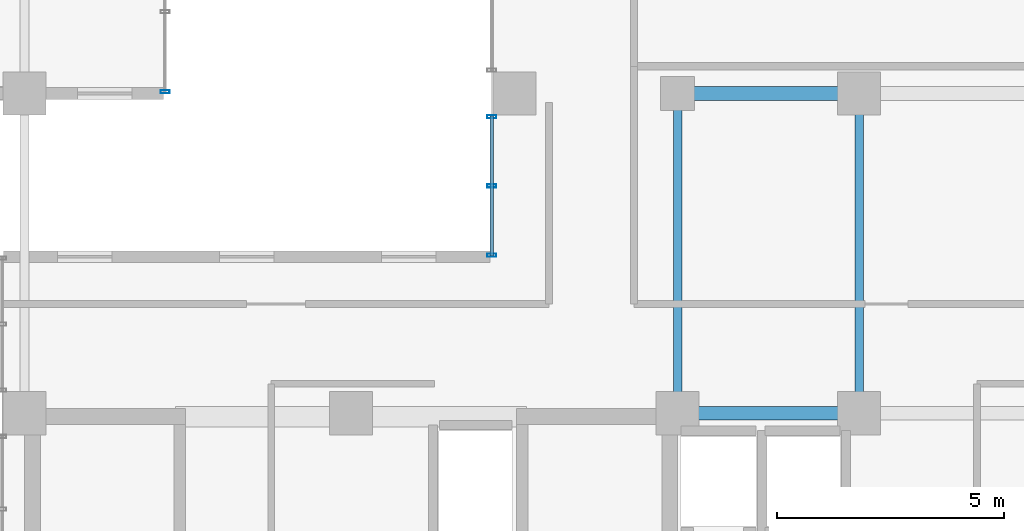
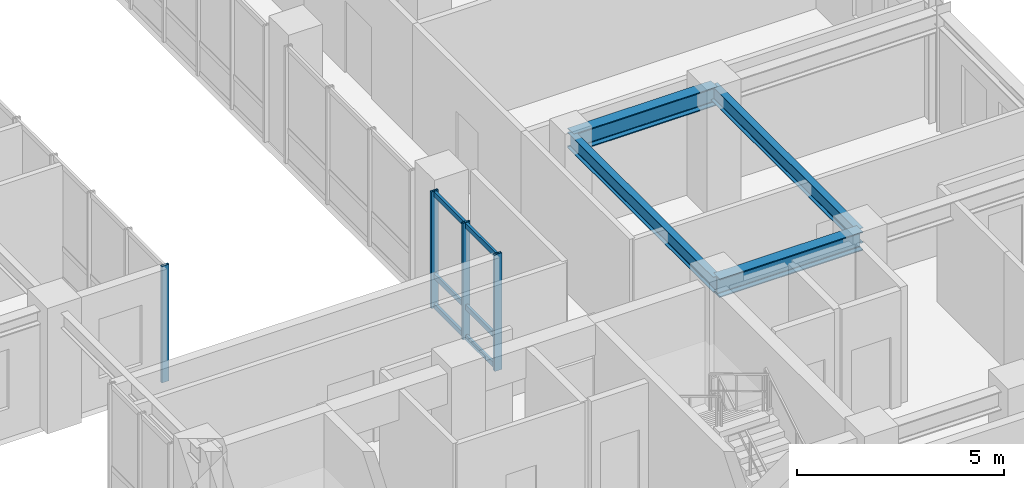
# One storey, part 7 of 24: 7 members, 4 beams, 2 elements without a shape of their own.
"""IFC4 building model written with IfcOpenShell, lengths in metres."""

import ifcopenshell
import ifcopenshell.guid

model = None  # the IFC model being written
_history = None  # IfcOwnerHistory: only IFC2X3 demands one
_inside = {}  # id of a spatial element -> (the spatial element, [elements in it])
_under = {}  # id of a project, library or spatial element -> (it, [spatial elements below it])
_declared = {}  # id of a project -> (the project, [libraries it declares])
_typed = {}  # id of a type object -> (the type object, [elements of that type])
_made_of = {}  # id of a material, layer set ... -> (it, [elements and type objects made of it])


def new_model(schema):
    """Start an empty IFC model of exactly this schema.

    Asked for "IFC4X3", IfcOpenShell would pick the latest addendum, in which some entities
    have other attributes; the version numbers below select the first issue.
    IFC2X3 requires an IfcOwnerHistory on every rooted entity: one is made here for all.
    """
    global model, _history
    if schema == "IFC4X3":
        model = ifcopenshell.file(schema_version=(4, 3, 0, 0))
    else:
        model = ifcopenshell.file(schema=schema)
    _inside.clear()
    _under.clear()
    _declared.clear()
    _typed.clear()
    _made_of.clear()
    _history = None
    if model.schema == "IFC2X3":
        org = make("IfcOrganization", Name="unknown")
        user = make(
            "IfcPersonAndOrganization",
            ThePerson=make("IfcPerson", FamilyName="unknown"),
            TheOrganization=org,
        )
        app = make(
            "IfcApplication",
            ApplicationDeveloper=org,
            Version="unknown",
            ApplicationFullName="unknown",
            ApplicationIdentifier="unknown",
        )
        _history = make(
            "IfcOwnerHistory",
            OwningUser=user,
            OwningApplication=app,
            ChangeAction="ADDED",
            CreationDate=0,
        )
    return model


def make(cls, **values):
    """One entity of the class cls with the attributes given. An attribute that is None is left unset."""
    return model.create_entity(
        cls, **{name: value for name, value in values.items() if value is not None}
    )


def rooted(cls, **values):
    """An entity with a GlobalId (a new one), such as an element, a storey or a relation."""
    return make(cls, GlobalId=ifcopenshell.guid.new(), OwnerHistory=_history, **values)


def si_unit(unit_type, name, prefix=None):
    """IfcSIUnit, for example si_unit("LENGTHUNIT", "METRE", prefix="MILLI")."""
    return make("IfcSIUnit", UnitType=unit_type, Prefix=prefix, Name=name)


def assignment(units):
    """IfcUnitAssignment: the units of a project."""
    return None if units is None else make("IfcUnitAssignment", Units=units)


def point(xyz):
    """IfcCartesianPoint."""
    return None if xyz is None else make("IfcCartesianPoint", Coordinates=xyz)


def direction(xyz):
    """IfcDirection."""
    return None if xyz is None else make("IfcDirection", DirectionRatios=xyz)


def frame(location, z_axis=None, x_axis=None):
    """IfcAxis2Placement3D, a coordinate frame: its origin and axes. An axis left out is left unset."""
    return make(
        "IfcAxis2Placement3D",
        Location=point(location),
        Axis=direction(z_axis),
        RefDirection=direction(x_axis),
    )


def frame_2d(location, x_axis=None):
    """IfcAxis2Placement2D, a coordinate frame in the plane: its origin and x axis."""
    return make(
        "IfcAxis2Placement2D", Location=point(location), RefDirection=direction(x_axis)
    )


def origin():
    """The frame at (0, 0, 0) with its axes left unset."""
    return frame((0.0, 0.0, 0.0))


def origin_2d():
    """The frame at (0, 0) in the plane with its x axis left unset."""
    return frame_2d((0.0, 0.0))


def place(relative_to, where):
    """IfcLocalPlacement: puts the frame where relative to a parent placement (None: the world)."""
    return make(
        "IfcLocalPlacement", PlacementRelTo=relative_to, RelativePlacement=where
    )


def context(
    kind, dimensions, precision=None, world=None, true_north=None, identifier=None
):
    """IfcGeometricRepresentationContext, for example the 3D "Model" context."""
    return make(
        "IfcGeometricRepresentationContext",
        ContextIdentifier=identifier,
        ContextType=kind,
        CoordinateSpaceDimension=dimensions,
        Precision=precision,
        WorldCoordinateSystem=world,
        TrueNorth=true_north,
    )


def subcontext(parent, identifier, kind, view, scale=None):
    """IfcGeometricRepresentationSubContext, for example "Body" below "Model"."""
    return make(
        "IfcGeometricRepresentationSubContext",
        ContextIdentifier=identifier,
        ContextType=kind,
        ParentContext=parent,
        TargetScale=scale,
        TargetView=view,
    )


def project(units=None, contexts=None):
    """IfcProject with its units and contexts."""
    return rooted(
        "IfcProject",
        Name="project",
        RepresentationContexts=contexts,
        UnitsInContext=assignment(units),
    )


def spatial(cls, under=None, at=None, **own):
    """A site, building, storey or space (cls), placed at a placement, below another one or the project."""
    s = rooted(cls, ObjectPlacement=at, **own)
    if under is not None:
        _under.setdefault(under.id(), (under, []))[1].append(s)
    return s


def profile(cls, at=None, kind="AREA", **sizes):
    """A parametric profile (cls). Its sizes go by their IFC names, for example OverallWidth=200.0."""
    return make(cls, ProfileType=kind, Position=at, **sizes)


def hollow_rectangle(**sizes):
    """IfcRectangleHollowProfileDef."""
    return profile("IfcRectangleHollowProfileDef", **sizes)


def i_section(**sizes):
    """IfcIShapeProfileDef."""
    return profile("IfcIShapeProfileDef", **sizes)


def extrude(swept, where, along, depth):
    """IfcExtrudedAreaSolid: the profile swept, set in the frame where, extruded along a direction by depth."""
    return make(
        "IfcExtrudedAreaSolid",
        SweptArea=swept,
        Position=where,
        ExtrudedDirection=direction(along),
        Depth=depth,
    )


def shape(context_of_items, identifier, shape_type, items):
    """IfcShapeRepresentation: the items that make up one representation, for example the "Body"."""
    return make(
        "IfcShapeRepresentation",
        ContextOfItems=context_of_items,
        RepresentationIdentifier=identifier,
        RepresentationType=shape_type,
        Items=items,
    )


def source(mapping_origin, context_of_items, identifier, shape_type, items):
    """IfcRepresentationMap: a shape defined once, which mapped items show again and again."""
    return make(
        "IfcRepresentationMap",
        MappingOrigin=mapping_origin,
        MappedRepresentation=shape(context_of_items, identifier, shape_type, items),
    )


def transform(
    local_origin,
    x_axis=None,
    y_axis=None,
    z_axis=None,
    scale=None,
    scale2=None,
    scale3=None,
    uniform=True,
):
    """IfcCartesianTransformationOperator3D, or its non-uniform kind. x_axis, y_axis, z_axis: its Axis1, 2, 3."""
    if uniform:
        return make(
            "IfcCartesianTransformationOperator3D",
            Axis1=direction(x_axis),
            Axis2=direction(y_axis),
            LocalOrigin=point(local_origin),
            Scale=scale,
            Axis3=direction(z_axis),
        )
    return make(
        "IfcCartesianTransformationOperator3DnonUniform",
        Axis1=direction(x_axis),
        Axis2=direction(y_axis),
        LocalOrigin=point(local_origin),
        Scale=scale,
        Axis3=direction(z_axis),
        Scale2=scale2,
        Scale3=scale3,
    )


def mapped(mapping_source, mapping_target):
    """IfcMappedItem: shows the shape of a source again, moved by a transform."""
    return make(
        "IfcMappedItem", MappingSource=mapping_source, MappingTarget=mapping_target
    )


def material(Name=None, Category=None):
    """IfcMaterial."""
    return make("IfcMaterial", Name=Name, Category=Category)


def layer(
    of_material, thickness, ventilated=None, Name=None, Category=None, Priority=None
):
    """IfcMaterialLayer: one layer of a wall or slab, of a material (None: an air gap)."""
    return make(
        "IfcMaterialLayer",
        Material=of_material,
        LayerThickness=thickness,
        IsVentilated=ventilated,
        Name=Name,
        Category=Category,
        Priority=Priority,
    )


def layer_set(layers, Name=None):
    """IfcMaterialLayerSet."""
    return make("IfcMaterialLayerSet", MaterialLayers=layers, LayerSetName=Name)


def material_profile(
    of_material, cross_section, Name=None, Category=None, Priority=None
):
    """IfcMaterialProfile: a cross section and its material."""
    return make(
        "IfcMaterialProfile",
        Name=Name,
        Material=of_material,
        Profile=cross_section,
        Priority=Priority,
        Category=Category,
    )


def profile_set(profiles, Name=None, composite=None):
    """IfcMaterialProfileSet."""
    return make(
        "IfcMaterialProfileSet",
        Name=Name,
        MaterialProfiles=profiles,
        CompositeProfile=composite,
    )


def made_of(thing, what):
    """Note that an element or type object is made of a material, layer set ...; save() writes the relation."""
    if what is not None:
        _made_of.setdefault(what.id(), (what, []))[1].append(thing)
    return thing


def type_object(cls, material=None, **own):
    """A type object (cls), such as IfcWallType, which elements share."""
    return made_of(rooted(cls, **own), material)


def element(
    cls,
    number,
    at=None,
    inside=None,
    cuts=None,
    type_object=None,
    material=None,
    context=None,
    identifier="Body",
    shape_type=None,
    held_by="IfcProductDefinitionShape",
    body=None,
    shapes=None,
    **own,
):
    """One element of the class cls, such as IfcWall. Its Tag is "e" and its number.

    at: its placement. inside: the storey or other place that contains it. cuts: it is an
    opening in that element (IfcRelVoidsElement). A single representation is given by context,
    identifier, shape_type and body (its items); several are given by shapes. held_by: the class
    of the entity that holds the representations. save() writes the other relations.
    """
    e = rooted(cls, Tag="e%d" % number, ObjectPlacement=at, **own)
    if body is not None:
        shapes = [shape(context, identifier, shape_type, body)]
    if shapes is not None:
        e.Representation = make(held_by, Representations=shapes)
    if inside is not None:
        _inside.setdefault(inside.id(), (inside, []))[1].append(e)
    if cuts is not None:
        rooted(
            "IfcRelVoidsElement", RelatingBuildingElement=cuts, RelatedOpeningElement=e
        )
    if type_object is not None:
        _typed.setdefault(type_object.id(), (type_object, []))[1].append(e)
    return made_of(e, material)


def aggregate(whole, parts):
    """IfcRelAggregates: a whole, such as a stair, and the parts it consists of."""
    return rooted("IfcRelAggregates", RelatingObject=whole, RelatedObjects=parts)


def save(model, path):
    """Write the relations noted so far, then the file.

    IfcRelAggregates (storeys below a building ...), IfcRelContainedInSpatialStructure (elements
    in a storey), IfcRelDefinesByType, IfcRelAssociatesMaterial and IfcRelDeclares: one each for
    every whole, place, type object, material and project.
    """
    for whole, parts in _under.values():
        aggregate(whole, parts)
    for where, things in _inside.values():
        rooted(
            "IfcRelContainedInSpatialStructure",
            RelatedElements=things,
            RelatingStructure=where,
        )
    for kind, things in _typed.values():
        rooted("IfcRelDefinesByType", RelatedObjects=things, RelatingType=kind)
    for what, things in _made_of.values():
        rooted("IfcRelAssociatesMaterial", RelatedObjects=things, RelatingMaterial=what)
    for by, libraries in _declared.values():
        rooted("IfcRelDeclares", RelatingContext=by, RelatedDefinitions=libraries)
    model.write(path)


model = new_model("IFC4")

# Units and contexts
model_context = context("Model", 3, precision=1e-05, world=origin(), true_north=direction((0.0, 1.0)))
body_context = subcontext(model_context, "Body", "Model", "MODEL_VIEW")
ifc_project = project(units=[si_unit("LENGTHUNIT", "METRE"), si_unit("AREAUNIT", "SQUARE_METRE"), si_unit("VOLUMEUNIT", "CUBIC_METRE"), si_unit("PLANEANGLEUNIT", "RADIAN"), si_unit("MASSUNIT", "GRAM", prefix="KILO")], contexts=[model_context])

# Site, building, storey
site_placement = place(None, origin())
site = spatial("IfcSite", under=ifc_project, at=site_placement, CompositionType="ELEMENT")
building_placement = place(site_placement, origin())
building = spatial("IfcBuilding", under=site, at=building_placement, Name="Kaliganga Portal Commons", CompositionType="ELEMENT")
storey_placement = place(building_placement, frame((0.0, 0.0, 235.10009765625)))
storey = spatial("IfcBuildingStorey", under=building, at=storey_placement, Name="L60", CompositionType="ELEMENT", Elevation=235.10009765625)

# Beams
ifc_material_1 = material(Name="Structural steel S355J2", Category="steel")
ifc_material_profile_1 = material_profile(ifc_material_1, i_section(OverallWidth=0.18994140625, OverallDepth=0.449951171875, WebThickness=0.009521484375, FlangeThickness=0.0146484375, FilletRadius=0.02099609375, at=origin_2d()), Name="IPE 450")
ifc_profile_set_1 = profile_set([ifc_material_profile_1], Name="Structural steel S355J2 wide-flange")
beam_type_1 = type_object("IfcBeamType", Name="BM-FLR-450", PredefinedType="BEAM", material=ifc_profile_set_1)
shared_shape_1 = source(origin(), body_context, "Body", "SweptSolid", [
    extrude(i_section(OverallWidth=0.18994140625, OverallDepth=0.449951171875, WebThickness=0.009521484375, FlangeThickness=0.0146484375, FilletRadius=0.02099609375, at=origin_2d()), origin(), (0.0, 0.0, 1.0), 7.050048828125),
])
for number, where, z_axis, x_axis, name in (
    (1, (50.39990234375, 14.550048828125, 3.21484375), (0.0, 1.0, 0.0), (-1.0, 0.0, 0.0), "BM G L60 BNK504"),
    (2, (54.39990234375, 14.550048828125, 3.21484375), (0.0, 1.0, 0.0), (-1.0, 0.0, 0.0), "BM G L60 BNK544"),
):
    element("IfcBeam", number, at=place(storey_placement, frame(where, z_axis=z_axis, x_axis=x_axis)), inside=storey, type_object=beam_type_1, Name=name, PredefinedType="BEAM", context=body_context, shape_type="MappedRepresentation", body=[
        mapped(shared_shape_1, transform((0.0, 0.0, 0.0), x_axis=(1.0, 0.0, 0.0), y_axis=(0.0, 1.0, 0.0), z_axis=(0.0, 0.0, 1.0), scale=1.0)),
    ])
ifc_material_profile_2 = material_profile(ifc_material_1, i_section(OverallWidth=0.300048828125, OverallDepth=0.550048828125, WebThickness=0.014892578125, FlangeThickness=0.029052734375, FilletRadius=0.027099609375, at=origin_2d()), Name="HE 550 B")
ifc_profile_set_2 = profile_set([ifc_material_profile_2], Name="Structural steel S355J2 wide-flange")
beam_type_2 = type_object("IfcBeamType", Name="BM-GIRD-550", PredefinedType="USERDEFINED", material=ifc_profile_set_2)
shared_shape_2 = source(origin(), body_context, "Body", "SweptSolid", [
    extrude(i_section(OverallWidth=0.300048828125, OverallDepth=0.550048828125, WebThickness=0.014892578125, FlangeThickness=0.029052734375, FilletRadius=0.027099609375, at=origin_2d()), origin(), (0.0, 0.0, 1.0), 4.0),
])
for number, where, z_axis, x_axis, name in (
    (3, (50.39990234375, 14.550048828125, 3.164794921875), (1.0, 0.0, 0.0), (0.0, 1.0, 0.0), "BM G L60 BKE146 1"),
    (4, (50.39990234375, 21.60009765625, 3.164794921875), (1.0, 0.0, 0.0), (0.0, 1.0, 0.0), "BM G L60 BKE216 1"),
):
    element("IfcBeam", number, at=place(storey_placement, frame(where, z_axis=z_axis, x_axis=x_axis)), inside=storey, type_object=beam_type_2, Name=name, ObjectType="GIRDER", PredefinedType="USERDEFINED", context=body_context, shape_type="MappedRepresentation", body=[
        mapped(shared_shape_2, transform((0.0, 0.0, 0.0), x_axis=(1.0, 0.0, 0.0), y_axis=(0.0, 1.0, 0.0), z_axis=(0.0, 0.0, 1.0), scale=1.0)),
    ])

# Curtain wall, member
ifc_material_2 = material(Name="Anodized Aluminium and Laminated Low-E Glass", Category="aluminium")
ifc_layer = layer(ifc_material_2, 0.239990234375)
ifc_layer_set = layer_set([ifc_layer], Name="Anodized Aluminium and Laminated Low-E Glass")
curtain_wall_type = type_object("IfcCurtainWallType", Name="CW-SYS-04", PredefinedType="NOTDEFINED", material=ifc_layer_set)
curtain_wall_1_placement = place(storey_placement, origin())
curtain_wall_1 = element("IfcCurtainWall", 5, at=curtain_wall_1_placement, inside=storey, type_object=curtain_wall_type, Name="CW 04 L60 P1E01S1", PredefinedType="NOTDEFINED")
ifc_material_3 = material(Name="Dark Bronze Anodized Aluminium", Category="aluminium")
ifc_material_profile_3 = material_profile(ifc_material_3, hollow_rectangle(XDim=0.070068359375, YDim=0.199951171875, WallThickness=0.00390625, at=origin_2d()), Name="ALU MULL 70x200x4")
ifc_profile_set_3 = profile_set([ifc_material_profile_3], Name="Dark Bronze Anodized Aluminium")
member_type_1 = type_object("IfcMemberType", Name="CW-MUL-220", PredefinedType="MULLION", material=ifc_profile_set_3)
shared_shape_3 = source(origin(), body_context, "Body", "SweptSolid", [
    extrude(hollow_rectangle(XDim=0.070068359375, YDim=0.199951171875, WallThickness=0.00390625, at=origin_2d()), origin(), (0.0, 0.0, 1.0), 3.43994140625),
])
member_1_placement = place(storey_placement, frame((39.10009765625, 21.635009765625, 0.0), z_axis=(0.0, 0.0, 1.0), x_axis=(0.0, 1.0, 0.0)))
member_1 = element("IfcMember", 6, at=member_1_placement, type_object=member_type_1, Name="CW:04:L60:P1E01S1 Mullion 00", PredefinedType="MULLION", context=body_context, shape_type="MappedRepresentation", body=[
    mapped(shared_shape_3, transform((0.0, 0.0, 0.0), x_axis=(1.0, 0.0, 0.0), y_axis=(0.0, 1.0, 0.0), z_axis=(0.0, 0.0, 1.0), scale=1.0)),
])
aggregate(curtain_wall_1, [member_1])

# Curtain wall, members
curtain_wall_2_placement = place(storey_placement, origin())
curtain_wall_2 = element("IfcCurtainWall", 7, at=curtain_wall_2_placement, inside=storey, type_object=curtain_wall_type, Name="CW 04 L60 P2E03S4", PredefinedType="NOTDEFINED")
member_2_placement = place(storey_placement, frame((46.300048828125, 21.089111328125, 0.0), z_axis=(0.0, 0.0, 1.0), x_axis=(0.0, -1.0, 0.0)))
member_2 = element("IfcMember", 8, at=member_2_placement, type_object=member_type_1, Name="CW:04:L60:P2E03S4 Mullion 00", PredefinedType="MULLION", context=body_context, shape_type="MappedRepresentation", body=[
    mapped(shared_shape_3, transform((0.0, 0.0, 0.0), x_axis=(1.0, 0.0, 0.0), y_axis=(0.0, 1.0, 0.0), z_axis=(0.0, 0.0, 1.0), scale=1.0)),
])
member_3_placement = place(storey_placement, frame((46.300048828125, 19.56201171875, 0.0), z_axis=(0.0, 0.0, 1.0), x_axis=(0.0, -1.0, 0.0)))
member_3 = element("IfcMember", 9, at=member_3_placement, type_object=member_type_1, Name="CW:04:L60:P2E03S4 Mullion 01", PredefinedType="MULLION", context=body_context, shape_type="MappedRepresentation", body=[
    mapped(shared_shape_3, transform((0.0, 0.0, 0.0), x_axis=(1.0, 0.0, 0.0), y_axis=(0.0, 1.0, 0.0), z_axis=(0.0, 0.0, 1.0), scale=1.0)),
])
member_4_placement = place(storey_placement, frame((46.300048828125, 18.034912109375, 0.0), z_axis=(0.0, 0.0, 1.0), x_axis=(0.0, -1.0, 0.0)))
member_4 = element("IfcMember", 10, at=member_4_placement, type_object=member_type_1, Name="CW:04:L60:P2E03S4 Mullion 02", PredefinedType="MULLION", context=body_context, shape_type="MappedRepresentation", body=[
    mapped(shared_shape_3, transform((0.0, 0.0, 0.0), x_axis=(1.0, 0.0, 0.0), y_axis=(0.0, 1.0, 0.0), z_axis=(0.0, 0.0, 1.0), scale=1.0)),
])
ifc_material_profile_4 = material_profile(ifc_material_3, hollow_rectangle(XDim=0.070068359375, YDim=0.14990234375, WallThickness=0.00341796875, at=origin_2d()), Name="ALU TRAN 70x150x3.5")
ifc_profile_set_4 = profile_set([ifc_material_profile_4], Name="Dark Bronze Anodized Aluminium")
member_type_2 = type_object("IfcMemberType", Name="CW-TRN-150", PredefinedType="USERDEFINED", material=ifc_profile_set_4)
shared_shape_4 = source(origin(), body_context, "Body", "SweptSolid", [
    extrude(hollow_rectangle(XDim=0.070068359375, YDim=0.14990234375, WallThickness=0.00341796875, at=origin_2d()), origin(), (0.0, 0.0, 1.0), 3.083984375),
])
member_5_placement = place(storey_placement, frame((46.300048828125, 21.10400390625, 0.059814453125), z_axis=(0.0, -1.0, 0.0), x_axis=(1.0, 0.0, 0.0)))
member_5 = element("IfcMember", 11, at=member_5_placement, type_object=member_type_2, Name="CW:04:L60:P2E03S4 Transom 1", ObjectType="TRANSOM", PredefinedType="USERDEFINED", context=body_context, shape_type="MappedRepresentation", body=[
    mapped(shared_shape_4, transform((0.0, 0.0, 0.0), x_axis=(1.0, 0.0, 0.0), y_axis=(0.0, 1.0, 0.0), z_axis=(0.0, 0.0, 1.0), scale=1.0)),
])
member_6_placement = place(storey_placement, frame((46.300048828125, 21.10400390625, 0.949951171875), z_axis=(0.0, -1.0, 0.0), x_axis=(1.0, 0.0, 0.0)))
member_6 = element("IfcMember", 12, at=member_6_placement, type_object=member_type_2, Name="CW:04:L60:P2E03S4 Transom 2", ObjectType="TRANSOM", PredefinedType="USERDEFINED", context=body_context, shape_type="MappedRepresentation", body=[
    mapped(shared_shape_4, transform((0.0, 0.0, 0.0), x_axis=(1.0, 0.0, 0.0), y_axis=(0.0, 1.0, 0.0), z_axis=(0.0, 0.0, 1.0), scale=1.0)),
])
member_7_placement = place(storey_placement, frame((46.300048828125, 21.10400390625, 3.35986328125), z_axis=(0.0, -1.0, 0.0), x_axis=(1.0, 0.0, 0.0)))
member_7 = element("IfcMember", 13, at=member_7_placement, type_object=member_type_2, Name="CW:04:L60:P2E03S4 Transom 3", ObjectType="TRANSOM", PredefinedType="USERDEFINED", context=body_context, shape_type="MappedRepresentation", body=[
    mapped(shared_shape_4, transform((0.0, 0.0, 0.0), x_axis=(1.0, 0.0, 0.0), y_axis=(0.0, 1.0, 0.0), z_axis=(0.0, 0.0, 1.0), scale=1.0)),
])
aggregate(curtain_wall_2, [member_2, member_3, member_4, member_5, member_6, member_7])

save(model, "model.ifc")
